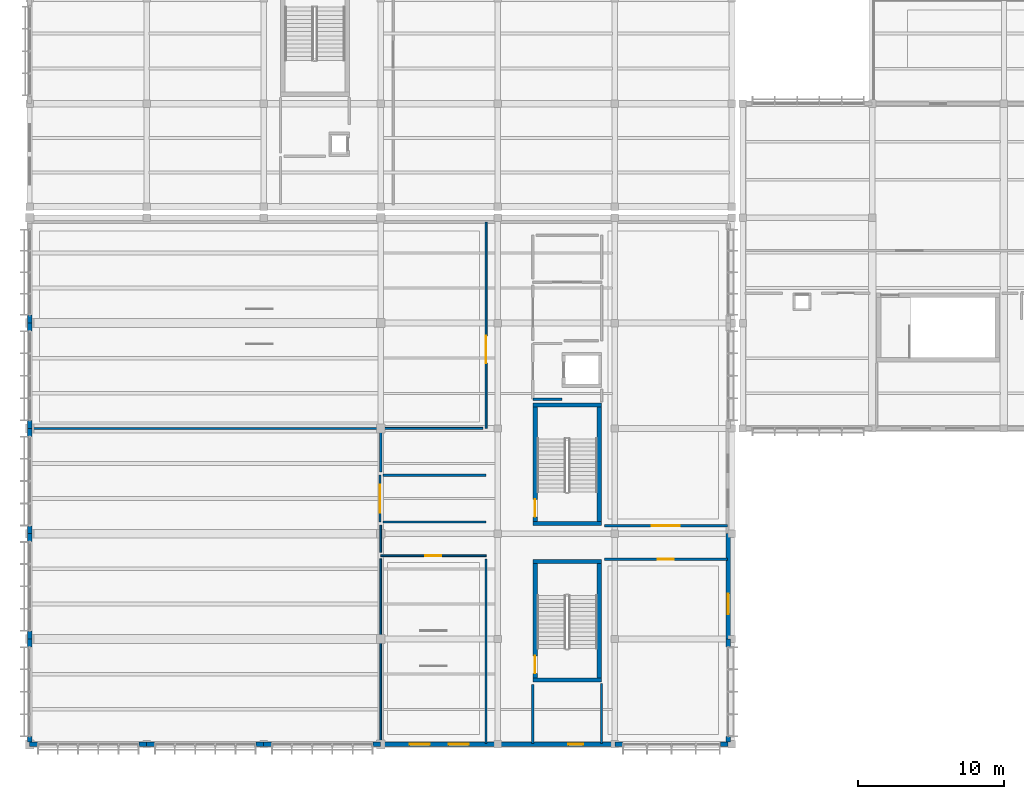
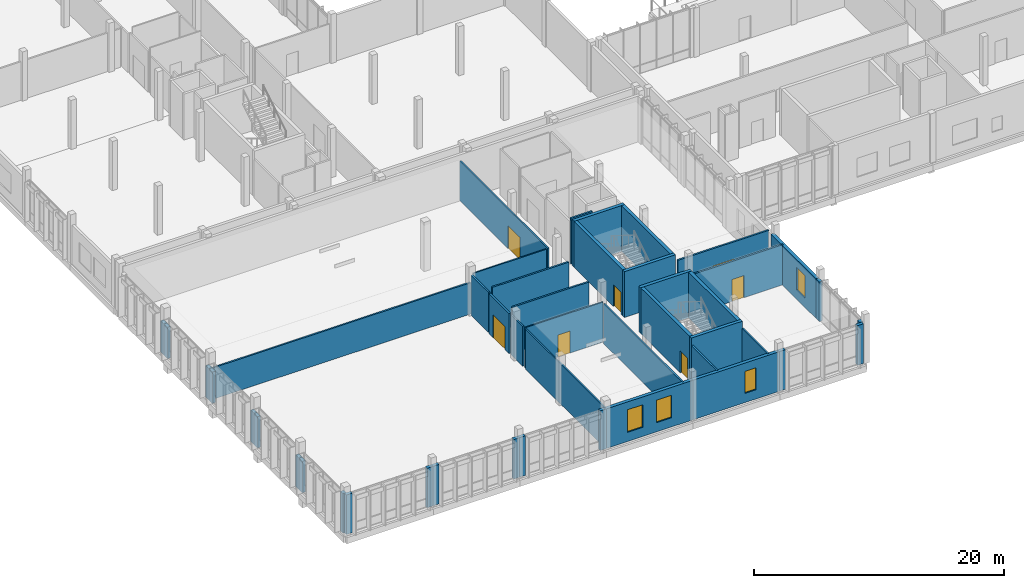
# One storey, part 146 of 177: 46 walls, 7 doors, 4 windows, 11 openings.
"""IFC4 building model written with IfcOpenShell, lengths in metres."""

from ifc_helpers import new_model, si_unit, direction, frame, frame_2d, origin, place, context, subcontext, project, spatial, rectangle, extrude, material, layer, layer_set, type_object, element, fill, save


model = new_model("IFC4")

# Units and contexts
model_context = context("Model", 3, precision=1e-05, world=origin(), true_north=direction((0.0, 1.0)))
body_context = subcontext(model_context, "Body", "Model", "MODEL_VIEW")
ifc_project = project(units=[si_unit("LENGTHUNIT", "METRE"), si_unit("AREAUNIT", "SQUARE_METRE"), si_unit("VOLUMEUNIT", "CUBIC_METRE"), si_unit("PLANEANGLEUNIT", "RADIAN"), si_unit("MASSUNIT", "GRAM", prefix="KILO")], contexts=[model_context])

# Site, building, storey
site_placement = place(None, origin())
site = spatial("IfcSite", under=ifc_project, at=site_placement, CompositionType="ELEMENT")
building_placement = place(site_placement, origin())
building = spatial("IfcBuilding", under=site, at=building_placement, Name="Chiffa Square Polytechnic", CompositionType="ELEMENT")
storey_placement = place(building_placement, frame((0.0, 0.0, 4.800048828125)))
storey = spatial("IfcBuildingStorey", under=building, at=storey_placement, Name="L01", CompositionType="ELEMENT", Elevation=4.800048828125)

# Walls
ifc_material_1 = material(Name="Concrete C40/50", Category="concrete")
ifc_layer_1 = layer(ifc_material_1, 0.300048828125, Name="Concrete C40/50")
ifc_layer_set_1 = layer_set([ifc_layer_1], Name="Concrete C40/50")
wall_type_1 = type_object("IfcWallType", Name="WL-CORE-300", PredefinedType="SHEAR", material=ifc_layer_set_1)
for number, where, z_axis, x_axis, name in (
    (1, (34.39990234375, 4.39990234375, 0.0), (0.0, 0.0, 1.0), (1.0, 0.0, 0.0), "Core or enclosure wall WC-CORE-V3A-L01-SOUTH"),
    (2, (34.39990234375, 12.5, 0.0), (0.0, 0.0, 1.0), (1.0, 0.0, 0.0), "Core or enclosure wall WC-CORE-V3A-L01-NORTH"),
):
    element("IfcWall", number, at=place(storey_placement, frame(where, z_axis=z_axis, x_axis=x_axis)), inside=storey, type_object=wall_type_1, Name=name, PredefinedType="SHEAR", context=body_context, shape_type="SweptSolid", body=[
        extrude(rectangle(XDim=4.7001953125, YDim=0.300048828125, at=frame_2d((2.35009765625, 0.0))), origin(), (0.0, 0.0, 1.0), 4.47998046875),
    ])

# Wall, opening, door
wall_1_placement = place(storey_placement, frame((34.550048828125, 4.550048828125, 0.0), z_axis=(0.0, 0.0, 1.0), x_axis=(0.0, 1.0, 0.0)))
wall_1 = element("IfcWall", 3, at=wall_1_placement, inside=storey, type_object=wall_type_1, Name="Core or enclosure wall WC-CORE-V3A-L01-WEST", PredefinedType="SHEAR", context=body_context, shape_type="SweptSolid", body=[
    extrude(rectangle(XDim=7.800048828125, YDim=0.300048828125, at=frame_2d((3.89990234375, 0.0))), origin(), (0.0, 0.0, 1.0), 4.47998046875),
])
opening_1_placement = place(wall_1_placement, frame((0.300048828125, 0.0, 0.0)))
opening_1 = element("IfcOpeningElement", 4, at=opening_1_placement, cuts=wall_1, Name="Opening DS-L01-022", PredefinedType="OPENING", context=body_context, shape_type="SweptSolid", body=[
    extrude(rectangle(XDim=1.199951171875, YDim=2.14990234375, at=frame_2d((0.60009765625, 1.074951171875))), frame((0.0, 0.16015625, 0.0), z_axis=(0.0, -1.0, 0.0), x_axis=(1.0, 0.0, 0.0)), (0.0, 0.0, 1.0), 0.320068359375),
])
ifc_material_2 = material(Name="Fire-rated painted steel leaf", Category="steel")
door_type_1 = type_object("IfcDoorType", Name="DR-STAIR-1200", OperationType="NOTDEFINED", PredefinedType="DOOR", material=ifc_material_2)
door_1_placement = place(opening_1_placement, origin())
door_1 = element("IfcDoor", 5, at=door_1_placement, inside=storey, type_object=door_type_1, Name="Enclosure door DS-L01-022", OperationType="SINGLE_SWING_RIGHT", OverallHeight=2.14990234375, OverallWidth=1.199951171875, PredefinedType="DOOR", context=body_context, shape_type="SweptSolid", body=[
    extrude(rectangle(XDim=1.199951171875, YDim=2.14990234375, at=frame_2d((0.60009765625, 1.074951171875))), frame((0.0, 0.02490234375, 0.0), z_axis=(0.0, -1.0, 0.0), x_axis=(1.0, 0.0, 0.0)), (0.0, 0.0, 1.0), 0.050048828125),
])
fill(opening_1, door_1)

# Walls
wall_2_placement = place(storey_placement, frame((38.949951171875, 4.550048828125, 0.0), z_axis=(0.0, 0.0, 1.0), x_axis=(0.0, 1.0, 0.0)))
element("IfcWall", 6, at=wall_2_placement, inside=storey, type_object=wall_type_1, Name="Core or enclosure wall WC-CORE-V3A-L01-EAST", PredefinedType="SHEAR", context=body_context, shape_type="SweptSolid", body=[
    extrude(rectangle(XDim=7.800048828125, YDim=0.300048828125, at=frame_2d((3.89990234375, 0.0))), origin(), (0.0, 0.0, 1.0), 4.47998046875),
])
for number, where, z_axis, x_axis, name in (
    (7, (34.39990234375, 15.10009765625, 0.0), (0.0, 0.0, 1.0), (1.0, 0.0, 0.0), "Core or enclosure wall WC-CORE-V3B-L01-SOUTH"),
    (8, (34.39990234375, 23.199951171875, 0.0), (0.0, 0.0, 1.0), (1.0, 0.0, 0.0), "Core or enclosure wall WC-CORE-V3B-L01-NORTH"),
):
    element("IfcWall", number, at=place(storey_placement, frame(where, z_axis=z_axis, x_axis=x_axis)), inside=storey, type_object=wall_type_1, Name=name, PredefinedType="SHEAR", context=body_context, shape_type="SweptSolid", body=[
        extrude(rectangle(XDim=4.7001953125, YDim=0.300048828125, at=frame_2d((2.35009765625, 0.0))), origin(), (0.0, 0.0, 1.0), 4.47998046875),
    ])

# Wall, opening, door
wall_3_placement = place(storey_placement, frame((34.550048828125, 15.25, 0.0), z_axis=(0.0, 0.0, 1.0), x_axis=(0.0, 1.0, 0.0)))
wall_3 = element("IfcWall", 9, at=wall_3_placement, inside=storey, type_object=wall_type_1, Name="Core or enclosure wall WC-CORE-V3B-L01-WEST", PredefinedType="SHEAR", context=body_context, shape_type="SweptSolid", body=[
    extrude(rectangle(XDim=7.800048828125, YDim=0.300048828125, at=frame_2d((3.89990234375, 0.0))), origin(), (0.0, 0.0, 1.0), 4.47998046875),
])
opening_2_placement = place(wall_3_placement, frame((0.300048828125, 0.0, 0.0)))
opening_2 = element("IfcOpeningElement", 10, at=opening_2_placement, cuts=wall_3, Name="Opening DS-L01-025", PredefinedType="OPENING", context=body_context, shape_type="SweptSolid", body=[
    extrude(rectangle(XDim=1.199951171875, YDim=2.14990234375, at=frame_2d((0.60009765625, 1.074951171875))), frame((0.0, 0.16015625, 0.0), z_axis=(0.0, -1.0, 0.0), x_axis=(1.0, 0.0, 0.0)), (0.0, 0.0, 1.0), 0.320068359375),
])
door_2_placement = place(opening_2_placement, origin())
door_2 = element("IfcDoor", 11, at=door_2_placement, inside=storey, type_object=door_type_1, Name="Enclosure door DS-L01-025", OperationType="SINGLE_SWING_LEFT", OverallHeight=2.14990234375, OverallWidth=1.199951171875, PredefinedType="DOOR", context=body_context, shape_type="SweptSolid", body=[
    extrude(rectangle(XDim=1.199951171875, YDim=2.14990234375, at=frame_2d((0.60009765625, 1.074951171875))), frame((0.0, 0.02490234375, 0.0), z_axis=(0.0, -1.0, 0.0), x_axis=(1.0, 0.0, 0.0)), (0.0, 0.0, 1.0), 0.050048828125),
])
fill(opening_2, door_2)

# Walls
wall_4_placement = place(storey_placement, frame((38.949951171875, 15.25, 0.0), z_axis=(0.0, 0.0, 1.0), x_axis=(0.0, 1.0, 0.0)))
element("IfcWall", 12, at=wall_4_placement, inside=storey, type_object=wall_type_1, Name="Core or enclosure wall WC-CORE-V3B-L01-EAST", PredefinedType="SHEAR", context=body_context, shape_type="SweptSolid", body=[
    extrude(rectangle(XDim=7.800048828125, YDim=0.300048828125, at=frame_2d((3.89990234375, 0.0))), origin(), (0.0, 0.0, 1.0), 4.47998046875),
])
ifc_material_3 = material(Name="Precast concrete C40/50", Category="concrete")
ifc_layer_2 = layer(ifc_material_3, 0.300048828125, Name="Precast concrete C40/50")
ifc_layer_set_2 = layer_set([ifc_layer_2], Name="Precast concrete C40/50")
wall_type_2 = type_object("IfcWallType", Name="WL-EXT-PC300", PredefinedType="SOLIDWALL", material=ifc_layer_set_2)
for number, where, z_axis, x_axis, name in (
    (13, (0.0, 0.0, 0.0), (0.0, 0.0, 1.0), (1.0, 0.0, 0.0), "Facade column pier V3-L01-0148L"),
    (14, (7.4599609375, 0.0, 0.0), (0.0, 0.0, 1.0), (1.0, 0.0, 0.0), "Facade column pier V3-L01-0148R"),
    (15, (8.0, 0.0, 0.0), (0.0, 0.0, 1.0), (1.0, 0.0, 0.0), "Facade column pier V3-L01-0149L"),
    (16, (15.4599609375, 0.0, 0.0), (0.0, 0.0, 1.0), (1.0, 0.0, 0.0), "Facade column pier V3-L01-0149R"),
    (17, (16.0, 0.0, 0.0), (0.0, 0.0, 1.0), (1.0, 0.0, 0.0), "Facade column pier V3-L01-0150L"),
    (18, (23.4599609375, 0.0, 0.0), (0.0, 0.0, 1.0), (1.0, 0.0, 0.0), "Facade column pier V3-L01-0150R"),
):
    element("IfcWall", number, at=place(storey_placement, frame(where, z_axis=z_axis, x_axis=x_axis)), inside=storey, type_object=wall_type_2, Name=name, PredefinedType="SOLIDWALL", context=body_context, shape_type="SweptSolid", body=[
        extrude(rectangle(XDim=0.5400390625, YDim=0.300048828125, at=frame_2d((0.27001953125, 0.0))), origin(), (0.0, 0.0, 1.0), 3.864990234375),
    ])

# Wall, openings, windows
wall_5_placement = place(storey_placement, frame((24.0, 0.0, 0.0), z_axis=(0.0, 0.0, 1.0), x_axis=(1.0, 0.0, 0.0)))
wall_5 = element("IfcWall", 19, at=wall_5_placement, inside=storey, type_object=wall_type_2, Name="Exterior wall WE-V3-L01-0151", PredefinedType="SOLIDWALL", context=body_context, shape_type="SweptSolid", body=[
    extrude(rectangle(XDim=8.0, YDim=0.300048828125, at=frame_2d((4.0, 0.0))), origin(), (0.0, 0.0, 1.0), 3.864990234375),
])
opening_3_placement = place(wall_5_placement, frame((1.967041015625, 0.0, 0.89990234375)))
opening_3 = element("IfcOpeningElement", 20, at=opening_3_placement, cuts=wall_5, Name="Opening W-23", PredefinedType="OPENING", context=body_context, shape_type="SweptSolid", body=[
    extrude(rectangle(XDim=1.39990234375, YDim=2.199951171875, at=frame_2d((0.699951171875, 1.10009765625))), frame((0.0, 0.16015625, 0.0), z_axis=(0.0, -1.0, 0.0), x_axis=(1.0, 0.0, 0.0)), (0.0, 0.0, 1.0), 0.320068359375),
])
opening_4_placement = place(wall_5_placement, frame((4.633056640625, 0.0, 0.89990234375)))
opening_4 = element("IfcOpeningElement", 21, at=opening_4_placement, cuts=wall_5, Name="Opening W-23", PredefinedType="OPENING", context=body_context, shape_type="SweptSolid", body=[
    extrude(rectangle(XDim=1.39990234375, YDim=2.199951171875, at=frame_2d((0.699951171875, 1.10009765625))), frame((0.0, 0.16015625, 0.0), z_axis=(0.0, -1.0, 0.0), x_axis=(1.0, 0.0, 0.0)), (0.0, 0.0, 1.0), 0.320068359375),
])
ifc_material_4 = material(Name="Double glazing in thermally broken aluminium frame", Category="aluminium")
window_type_1 = type_object("IfcWindowType", Name="WIN-LEC-1400X2200", PartitioningType="DOUBLE_PANEL_VERTICAL", PredefinedType="WINDOW", material=ifc_material_4)
window_1_placement = place(opening_3_placement, origin())
window_1 = element("IfcWindow", 22, at=window_1_placement, inside=storey, type_object=window_type_1, Name="Facade window WN-L01-0123", OverallHeight=2.199951171875, OverallWidth=1.39990234375, PartitioningType="DOUBLE_PANEL_VERTICAL", PredefinedType="WINDOW", context=body_context, shape_type="SweptSolid", body=[
    extrude(rectangle(XDim=1.39990234375, YDim=2.199951171875, at=frame_2d((0.699951171875, 1.10009765625))), frame((0.0, 0.030029296875, 0.0), z_axis=(0.0, -1.0, 0.0), x_axis=(1.0, 0.0, 0.0)), (0.0, 0.0, 1.0), 0.06005859375),
])
fill(opening_3, window_1)
window_2_placement = place(opening_4_placement, origin())
window_2 = element("IfcWindow", 23, at=window_2_placement, inside=storey, type_object=window_type_1, Name="Facade window WN-L01-0124", OverallHeight=2.199951171875, OverallWidth=1.39990234375, PartitioningType="DOUBLE_PANEL_VERTICAL", PredefinedType="WINDOW", context=body_context, shape_type="SweptSolid", body=[
    extrude(rectangle(XDim=1.39990234375, YDim=2.199951171875, at=frame_2d((0.699951171875, 1.10009765625))), frame((0.0, 0.030029296875, 0.0), z_axis=(0.0, -1.0, 0.0), x_axis=(1.0, 0.0, 0.0)), (0.0, 0.0, 1.0), 0.06005859375),
])
fill(opening_4, window_2)

# Wall, opening, window
wall_6_placement = place(storey_placement, frame((32.0, 0.0, 0.0), z_axis=(0.0, 0.0, 1.0), x_axis=(1.0, 0.0, 0.0)))
wall_6 = element("IfcWall", 24, at=wall_6_placement, inside=storey, type_object=wall_type_2, Name="Exterior wall WE-V3-L01-0152", PredefinedType="SOLIDWALL", context=body_context, shape_type="SweptSolid", body=[
    extrude(rectangle(XDim=8.0, YDim=0.300048828125, at=frame_2d((4.0, 0.0))), origin(), (0.0, 0.0, 1.0), 3.864990234375),
])
opening_5_placement = place(wall_6_placement, frame((4.8330078125, 0.0, 0.89990234375)))
opening_5 = element("IfcOpeningElement", 25, at=opening_5_placement, cuts=wall_6, Name="Opening W-25", PredefinedType="OPENING", context=body_context, shape_type="SweptSolid", body=[
    extrude(rectangle(XDim=1.0, YDim=2.14990234375, at=frame_2d((0.5, 1.074951171875))), frame((0.0, 0.16015625, 0.0), z_axis=(0.0, -1.0, 0.0), x_axis=(1.0, 0.0, 0.0)), (0.0, 0.0, 1.0), 0.320068359375),
])
window_type_2 = type_object("IfcWindowType", Name="WIN-LEC-1000X2150", PartitioningType="DOUBLE_PANEL_VERTICAL", PredefinedType="WINDOW", material=ifc_material_4)
window_3_placement = place(opening_5_placement, origin())
window_3 = element("IfcWindow", 26, at=window_3_placement, inside=storey, type_object=window_type_2, Name="Facade window WN-L01-0125", OverallHeight=2.14990234375, OverallWidth=1.0, PartitioningType="DOUBLE_PANEL_VERTICAL", PredefinedType="WINDOW", context=body_context, shape_type="SweptSolid", body=[
    extrude(rectangle(XDim=1.0, YDim=2.14990234375, at=frame_2d((0.5, 1.074951171875))), frame((0.0, 0.030029296875, 0.0), z_axis=(0.0, -1.0, 0.0), x_axis=(1.0, 0.0, 0.0)), (0.0, 0.0, 1.0), 0.06005859375),
])
fill(opening_5, window_3)

# Walls
for number, where, z_axis, x_axis, name in (
    (27, (40.0, 0.0, 0.0), (0.0, 0.0, 1.0), (1.0, 0.0, 0.0), "Facade column pier V3-L01-0153L"),
    (28, (47.2099609375, 0.0, 0.0), (0.0, 0.0, 1.0), (1.0, 0.0, 0.0), "Facade column pier V3-L01-0153R"),
):
    element("IfcWall", number, at=place(storey_placement, frame(where, z_axis=z_axis, x_axis=x_axis)), inside=storey, type_object=wall_type_2, Name=name, PredefinedType="SOLIDWALL", context=body_context, shape_type="SweptSolid", body=[
        extrude(rectangle(XDim=0.5400390625, YDim=0.300048828125, at=frame_2d((0.27001953125, 0.0))), origin(), (0.0, 0.0, 1.0), 3.864990234375),
    ])
wall_7_placement = place(storey_placement, frame((47.75, 0.152099609375, 0.0), z_axis=(0.0, 0.0, 1.0), x_axis=(0.0, 1.0, 0.0)))
element("IfcWall", 29, at=wall_7_placement, inside=storey, type_object=wall_type_2, Name="Facade column pier V3-L01-0154L", PredefinedType="SOLIDWALL", context=body_context, shape_type="SweptSolid", body=[
    extrude(rectangle(XDim=0.387939453125, YDim=0.300048828125, at=frame_2d((0.19384765625, 0.0))), origin(), (0.0, 0.0, 1.0), 3.864990234375),
])
wall_8_placement = place(storey_placement, frame((47.75, 6.659912109375, 0.0), z_axis=(0.0, 0.0, 1.0), x_axis=(0.0, 1.0, 0.0)))
element("IfcWall", 30, at=wall_8_placement, inside=storey, type_object=wall_type_2, Name="Facade column pier V3-L01-0154R", PredefinedType="SOLIDWALL", context=body_context, shape_type="SweptSolid", body=[
    extrude(rectangle(XDim=0.5400390625, YDim=0.300048828125, at=frame_2d((0.27001953125, 0.0))), origin(), (0.0, 0.0, 1.0), 3.864990234375),
])

# Wall, opening, window
wall_9_placement = place(storey_placement, frame((47.75, 7.199951171875, 0.0), z_axis=(0.0, 0.0, 1.0), x_axis=(0.0, 1.0, 0.0)))
wall_9 = element("IfcWall", 31, at=wall_9_placement, inside=storey, type_object=wall_type_2, Name="Exterior wall WE-V3-L01-0155", PredefinedType="SOLIDWALL", context=body_context, shape_type="SweptSolid", body=[
    extrude(rectangle(XDim=7.199951171875, YDim=0.300048828125, at=frame_2d((3.60009765625, 0.0))), origin(), (0.0, 0.0, 1.0), 3.864990234375),
])
opening_6_placement = place(wall_9_placement, frame((1.699951171875, 0.0, 0.89990234375)))
opening_6 = element("IfcOpeningElement", 32, at=opening_6_placement, cuts=wall_9, Name="Opening W-23", PredefinedType="OPENING", context=body_context, shape_type="SweptSolid", body=[
    extrude(rectangle(XDim=1.39990234375, YDim=2.199951171875, at=frame_2d((0.699951171875, 1.10009765625))), frame((0.0, 0.16015625, 0.0), z_axis=(0.0, -1.0, 0.0), x_axis=(1.0, 0.0, 0.0)), (0.0, 0.0, 1.0), 0.320068359375),
])
window_4_placement = place(opening_6_placement, origin())
window_4 = element("IfcWindow", 33, at=window_4_placement, inside=storey, type_object=window_type_1, Name="Facade window WN-L01-0126", OverallHeight=2.199951171875, OverallWidth=1.39990234375, PartitioningType="DOUBLE_PANEL_VERTICAL", PredefinedType="WINDOW", context=body_context, shape_type="SweptSolid", body=[
    extrude(rectangle(XDim=1.39990234375, YDim=2.199951171875, at=frame_2d((0.699951171875, 1.10009765625))), frame((0.0, 0.030029296875, 0.0), z_axis=(0.0, -1.0, 0.0), x_axis=(1.0, 0.0, 0.0)), (0.0, 0.0, 1.0), 0.06005859375),
])
fill(opening_6, window_4)

# Walls
for number, where, z_axis, x_axis, name in (
    (34, (0.0, 29.340087890625, 0.0), (0.0, 0.0, 1.0), (0.0, -1.0, 0.0), "Facade column pier V3-L01-0160R"),
    (35, (0.0, 28.800048828125, 0.0), (0.0, 0.0, 1.0), (0.0, -1.0, 0.0), "Facade column pier V3-L01-0161L"),
):
    element("IfcWall", number, at=place(storey_placement, frame(where, z_axis=z_axis, x_axis=x_axis)), inside=storey, type_object=wall_type_2, Name=name, PredefinedType="SOLIDWALL", context=body_context, shape_type="SweptSolid", body=[
        extrude(rectangle(XDim=0.5400390625, YDim=0.300048828125, at=frame_2d((0.27001953125, 0.0))), origin(), (0.0, 0.0, 1.0), 3.06494140625),
    ])
wall_10_placement = place(storey_placement, frame((0.0, 22.139892578125, 0.0), z_axis=(0.0, 0.0, 1.0), x_axis=(0.0, -1.0, 0.0)))
element("IfcWall", 36, at=wall_10_placement, inside=storey, type_object=wall_type_2, Name="Facade column pier V3-L01-0161R", PredefinedType="SOLIDWALL", context=body_context, shape_type="SweptSolid", body=[
    extrude(rectangle(XDim=0.539794921875, YDim=0.300048828125, at=frame_2d((0.27001953125, 0.0))), origin(), (0.0, 0.0, 1.0), 3.06494140625),
])
for number, where, z_axis, x_axis, name in (
    (37, (0.0, 21.60009765625, 0.0), (0.0, 0.0, 1.0), (0.0, -1.0, 0.0), "Facade column pier V3-L01-0162L"),
    (38, (0.0, 14.93994140625, 0.0), (0.0, 0.0, 1.0), (0.0, -1.0, 0.0), "Facade column pier V3-L01-0162R"),
):
    element("IfcWall", number, at=place(storey_placement, frame(where, z_axis=z_axis, x_axis=x_axis)), inside=storey, type_object=wall_type_2, Name=name, PredefinedType="SOLIDWALL", context=body_context, shape_type="SweptSolid", body=[
        extrude(rectangle(XDim=0.5400390625, YDim=0.300048828125, at=frame_2d((0.27001953125, 0.0))), origin(), (0.0, 0.0, 1.0), 3.06494140625),
    ])
wall_11_placement = place(storey_placement, frame((0.0, 14.39990234375, 0.0), z_axis=(0.0, 0.0, 1.0), x_axis=(0.0, -1.0, 0.0)))
element("IfcWall", 39, at=wall_11_placement, inside=storey, type_object=wall_type_2, Name="Facade column pier V3-L01-0163L", PredefinedType="SOLIDWALL", context=body_context, shape_type="SweptSolid", body=[
    extrude(rectangle(XDim=0.539794921875, YDim=0.300048828125, at=frame_2d((0.27001953125, 0.0))), origin(), (0.0, 0.0, 1.0), 3.06494140625),
])
for number, where, z_axis, x_axis, name in (
    (40, (0.0, 7.739990234375, 0.0), (0.0, 0.0, 1.0), (0.0, -1.0, 0.0), "Facade column pier V3-L01-0163R"),
    (41, (0.0, 7.199951171875, 0.0), (0.0, 0.0, 1.0), (0.0, -1.0, 0.0), "Facade column pier V3-L01-0164L"),
):
    element("IfcWall", number, at=place(storey_placement, frame(where, z_axis=z_axis, x_axis=x_axis)), inside=storey, type_object=wall_type_2, Name=name, PredefinedType="SOLIDWALL", context=body_context, shape_type="SweptSolid", body=[
        extrude(rectangle(XDim=0.5400390625, YDim=0.300048828125, at=frame_2d((0.27001953125, 0.0))), origin(), (0.0, 0.0, 1.0), 3.06494140625),
    ])
wall_12_placement = place(storey_placement, frame((0.0, 0.5400390625, 0.0), z_axis=(0.0, 0.0, 1.0), x_axis=(0.0, -1.0, 0.0)))
element("IfcWall", 42, at=wall_12_placement, inside=storey, type_object=wall_type_2, Name="Facade column pier V3-L01-0164R", PredefinedType="SOLIDWALL", context=body_context, shape_type="SweptSolid", body=[
    extrude(rectangle(XDim=0.387939453125, YDim=0.300048828125, at=frame_2d((0.19384765625, 0.0))), origin(), (0.0, 0.0, 1.0), 3.864990234375),
])

# Wall, opening, door
ifc_material_5 = material(Name="Gypsum board on steel stud", Category="steel")
ifc_layer_3 = layer(ifc_material_5, 0.125, Name="Gypsum board on steel stud")
ifc_layer_set_3 = layer_set([ifc_layer_3], Name="Gypsum board on steel stud")
wall_type_3 = type_object("IfcWallType", Name="WL-PART-125", PredefinedType="PARTITIONING", material=ifc_layer_set_3)
wall_13_placement = place(storey_placement, frame((24.0, 12.89990234375, 0.0), z_axis=(0.0, 0.0, 1.0), x_axis=(1.0, 0.0, 0.0)))
wall_13 = element("IfcWall", 43, at=wall_13_placement, inside=storey, type_object=wall_type_3, Name="Interior partition WP-V3-L01-0284", PredefinedType="PARTITIONING", context=body_context, shape_type="SweptSolid", body=[
    extrude(rectangle(XDim=7.199951171875, YDim=0.125, at=frame_2d((3.60009765625, 0.0))), origin(), (0.0, 0.0, 1.0), 3.9150390625),
])
opening_7_placement = place(wall_13_placement, frame((3.050048828125, 0.0, 0.0)))
opening_7 = element("IfcOpeningElement", 44, at=opening_7_placement, cuts=wall_13, Name="Opening DI-L01-132", PredefinedType="OPENING", context=body_context, shape_type="SweptSolid", body=[
    extrude(rectangle(XDim=1.10009765625, YDim=2.14990234375, at=frame_2d((0.550048828125, 1.074951171875))), frame((0.0, 0.072509765625, 0.0), z_axis=(0.0, -1.0, 0.0), x_axis=(1.0, 0.0, 0.0)), (0.0, 0.0, 1.0), 0.14501953125),
])
ifc_material_6 = material(Name="Solid core ash veneer door")
door_type_2 = type_object("IfcDoorType", Name="DR-INT-1100", OperationType="NOTDEFINED", PredefinedType="DOOR", material=ifc_material_6)
door_3_placement = place(opening_7_placement, origin())
door_3 = element("IfcDoor", 45, at=door_3_placement, inside=storey, type_object=door_type_2, Name="Interior room door DI-L01-132", OperationType="SINGLE_SWING_LEFT", OverallHeight=2.14990234375, OverallWidth=1.10009765625, PredefinedType="DOOR", context=body_context, shape_type="SweptSolid", body=[
    extrude(rectangle(XDim=1.10009765625, YDim=2.14990234375, at=frame_2d((0.550048828125, 1.074951171875))), frame((0.0, 0.02490234375, 0.0), z_axis=(0.0, -1.0, 0.0), x_axis=(1.0, 0.0, 0.0)), (0.0, 0.0, 1.0), 0.050048828125),
])
fill(opening_7, door_3)

# Walls
wall_14_placement = place(storey_placement, frame((24.219970703125, 21.60009765625, 0.0), z_axis=(0.0, 0.0, 1.0), x_axis=(1.0, 0.0, 0.0)))
element("IfcWall", 46, at=wall_14_placement, inside=storey, type_object=wall_type_3, Name="Interior partition WP-V3-L01-0338", PredefinedType="PARTITIONING", context=body_context, shape_type="SweptSolid", body=[
    extrude(rectangle(XDim=6.760009765625, YDim=0.125, at=frame_2d((3.3798828125, 0.0))), origin(), (0.0, 0.0, 1.0), 3.864990234375),
])
ifc_layer_4 = layer(ifc_material_5, 0.135009765625, Name="Gypsum board on steel stud")
ifc_layer_set_4 = layer_set([ifc_layer_4], Name="Gypsum board on steel stud")
wall_type_4 = type_object("IfcWallType", Name="WL-PART-135", PredefinedType="PARTITIONING", material=ifc_layer_set_4)
wall_15_placement = place(storey_placement, frame((24.0, 0.054931640625, 0.0), z_axis=(0.0, 0.0, 1.0), x_axis=(0.0, 1.0, 0.0)))
element("IfcWall", 47, at=wall_15_placement, inside=storey, type_object=wall_type_4, Name="Interior partition WP-V3-L01-0286", PredefinedType="PARTITIONING", context=body_context, shape_type="SweptSolid", body=[
    extrude(rectangle(XDim=12.625, YDim=0.135009765625, at=frame_2d((6.3125, 0.0))), origin(), (0.0, 0.0, 1.0), 3.9150390625),
])

# Wall, opening, door
wall_16_placement = place(storey_placement, frame((31.199951171875, 21.60009765625, 0.0), z_axis=(0.0, 0.0, 1.0), x_axis=(0.0, 1.0, 0.0)))
wall_16 = element("IfcWall", 48, at=wall_16_placement, inside=storey, type_object=wall_type_4, Name="Interior partition WP-V3-L01-0337", PredefinedType="PARTITIONING", context=body_context, shape_type="SweptSolid", body=[
    extrude(rectangle(XDim=14.094970703125, YDim=0.135009765625, at=frame_2d((7.04736328125, 0.0))), origin(), (0.0, 0.0, 1.0), 3.864990234375),
])
opening_8_placement = place(wall_16_placement, frame((4.451904296875, 0.0, 0.0)))
opening_8 = element("IfcOpeningElement", 49, at=opening_8_placement, cuts=wall_16, Name="Opening DI-L01-149", PredefinedType="OPENING", context=body_context, shape_type="SweptSolid", body=[
    extrude(rectangle(XDim=1.89990234375, YDim=2.25, at=frame_2d((0.949951171875, 1.125))), frame((0.0, 0.07763671875, 0.0), z_axis=(0.0, -1.0, 0.0), x_axis=(1.0, 0.0, 0.0)), (0.0, 0.0, 1.0), 0.155029296875),
])
ifc_material_7 = material(Name="Acoustic oak auditorium double door")
door_type_3 = type_object("IfcDoorType", Name="DR-LEC-DBL-1900", OperationType="DOUBLE_DOOR_SINGLE_SWING", PredefinedType="DOOR", material=ifc_material_7)
door_4_placement = place(opening_8_placement, origin())
door_4 = element("IfcDoor", 50, at=door_4_placement, inside=storey, type_object=door_type_3, Name="Interior room door DI-L01-149", OperationType="DOUBLE_DOOR_SINGLE_SWING", OverallHeight=2.25, OverallWidth=1.89990234375, PredefinedType="DOOR", context=body_context, shape_type="SweptSolid", body=[
    extrude(rectangle(XDim=1.89990234375, YDim=2.25, at=frame_2d((0.949951171875, 1.125))), frame((0.0, 0.02490234375, 0.0), z_axis=(0.0, -1.0, 0.0), x_axis=(1.0, 0.0, 0.0)), (0.0, 0.0, 1.0), 0.050048828125),
])
fill(opening_8, door_4)

# Walls
wall_17_placement = place(storey_placement, frame((24.0, 13.1201171875, 0.0), z_axis=(0.0, 0.0, 1.0), x_axis=(0.0, 1.0, 0.0)))
element("IfcWall", 51, at=wall_17_placement, inside=storey, type_object=wall_type_4, Name="Interior partition WP-V3-L01-0352", PredefinedType="PARTITIONING", context=body_context, shape_type="SweptSolid", body=[
    extrude(rectangle(XDim=1.865966796875, YDim=0.135009765625, at=frame_2d((0.93310546875, 0.0))), origin(), (0.0, 0.0, 1.0), 3.9150390625),
])
ifc_layer_5 = layer(ifc_material_5, 0.14501953125, Name="Gypsum board on steel stud")
ifc_layer_set_5 = layer_set([ifc_layer_5], Name="Gypsum board on steel stud")
wall_type_5 = type_object("IfcWallType", Name="WL-PART-145", PredefinedType="PARTITIONING", material=ifc_layer_set_5)
wall_18_placement = place(storey_placement, frame((31.199951171875, 0.054931640625, 0.0), z_axis=(0.0, 0.0, 1.0), x_axis=(0.0, 1.0, 0.0)))
element("IfcWall", 52, at=wall_18_placement, inside=storey, type_object=wall_type_5, Name="Interior partition WP-V3-L01-0285", PredefinedType="PARTITIONING", context=body_context, shape_type="SweptSolid", body=[
    extrude(rectangle(XDim=12.625, YDim=0.14501953125, at=frame_2d((6.3125, 0.0))), origin(), (0.0, 0.0, 1.0), 3.864990234375),
])
wall_19_placement = place(storey_placement, frame((39.10009765625, 0.054931640625, 0.0), z_axis=(0.0, 0.0, 1.0), x_axis=(0.0, 1.0, 0.0)))
element("IfcWall", 53, at=wall_19_placement, inside=storey, type_object=wall_type_5, Name="Interior partition WP-V3-L01-0288", PredefinedType="PARTITIONING", context=body_context, shape_type="SweptSolid", body=[
    extrude(rectangle(XDim=4.10498046875, YDim=0.14501953125, at=frame_2d((2.052490234375, 0.0))), origin(), (0.0, 0.0, 1.0), 3.864990234375),
])
wall_20_placement = place(storey_placement, frame((0.054931640625, 21.60009765625, 0.0), z_axis=(0.0, 0.0, 1.0), x_axis=(1.0, 0.0, 0.0)))
element("IfcWall", 54, at=wall_20_placement, inside=storey, type_object=wall_type_5, Name="Interior partition WP-V3-L01-0336", PredefinedType="PARTITIONING", context=body_context, shape_type="SweptSolid", body=[
    extrude(rectangle(XDim=23.945068359375, YDim=0.14501953125, at=frame_2d((11.97265625, 0.0))), origin(), (0.0, 0.0, 1.0), 3.06494140625),
])
wall_21_placement = place(storey_placement, frame((24.0, 18.614013671875, 0.0), z_axis=(0.0, 0.0, 1.0), x_axis=(0.0, 1.0, 0.0)))
element("IfcWall", 55, at=wall_21_placement, inside=storey, type_object=wall_type_5, Name="Interior partition WP-V3-L01-0351", PredefinedType="PARTITIONING", context=body_context, shape_type="SweptSolid", body=[
    extrude(rectangle(XDim=2.765869140625, YDim=0.14501953125, at=frame_2d((1.3828125, 0.0))), origin(), (0.0, 0.0, 1.0), 3.9150390625),
])
ifc_material_8 = material(Name="Gypsum board on acoustic steel stud", Category="steel")
ifc_layer_6 = layer(ifc_material_8, 0.159912109375, Name="Gypsum board on acoustic steel stud")
ifc_layer_set_6 = layer_set([ifc_layer_6], Name="Gypsum board on acoustic steel stud")
wall_type_6 = type_object("IfcWallType", Name="WL-PART-EI60-160", PredefinedType="PARTITIONING", material=ifc_layer_set_6)
wall_22_placement = place(storey_placement, frame((34.39990234375, 23.60009765625, 0.0), z_axis=(0.0, 0.0, 1.0), x_axis=(1.0, 0.0, 0.0)))
element("IfcWall", 56, at=wall_22_placement, inside=storey, type_object=wall_type_6, Name="Lift lobby rated enclosure WP-LOB-LP-V3-L01-SOUTH", PredefinedType="PARTITIONING", context=body_context, shape_type="SweptSolid", body=[
    extrude(rectangle(XDim=2.0, YDim=0.159912109375, at=frame_2d((1.0, 0.0))), origin(), (0.0, 0.0, 1.0), 4.47998046875),
])

# Wall, opening, door
wall_23_placement = place(storey_placement, frame((39.287109375, 12.64990234375, 0.0), z_axis=(0.0, 0.0, 1.0), x_axis=(1.0, 0.0, 0.0)))
wall_23 = element("IfcWall", 57, at=wall_23_placement, inside=storey, type_object=wall_type_6, Name="Interior partition WP-V3-L01-0287", PredefinedType="PARTITIONING", context=body_context, shape_type="SweptSolid", body=[
    extrude(rectangle(XDim=8.407958984375, YDim=0.159912109375, at=frame_2d((4.2041015625, 0.0))), origin(), (0.0, 0.0, 1.0), 3.9150390625),
])
opening_9_placement = place(wall_23_placement, frame((3.654052734375, 0.0, 0.0)))
opening_9 = element("IfcOpeningElement", 58, at=opening_9_placement, cuts=wall_23, Name="Opening DI-L01-133", PredefinedType="OPENING", context=body_context, shape_type="SweptSolid", body=[
    extrude(rectangle(XDim=1.10009765625, YDim=2.14990234375, at=frame_2d((0.550048828125, 1.074951171875))), frame((0.0, 0.08984375, 0.0), z_axis=(0.0, -1.0, 0.0), x_axis=(1.0, 0.0, 0.0)), (0.0, 0.0, 1.0), 0.179931640625),
])
door_5_placement = place(opening_9_placement, origin())
door_5 = element("IfcDoor", 59, at=door_5_placement, inside=storey, type_object=door_type_2, Name="Interior room door DI-L01-133", OperationType="SINGLE_SWING_RIGHT", OverallHeight=2.14990234375, OverallWidth=1.10009765625, PredefinedType="DOOR", context=body_context, shape_type="SweptSolid", body=[
    extrude(rectangle(XDim=1.10009765625, YDim=2.14990234375, at=frame_2d((0.550048828125, 1.074951171875))), frame((0.0, 0.02490234375, 0.0), z_axis=(0.0, -1.0, 0.0), x_axis=(1.0, 0.0, 0.0)), (0.0, 0.0, 1.0), 0.050048828125),
])
fill(opening_9, door_5)

wall_24_placement = place(storey_placement, frame((23.949951171875, 15.199951171875, 0.0), z_axis=(0.0, 0.0, 1.0), x_axis=(0.0, 1.0, 0.0)))
wall_24 = element("IfcWall", 60, at=wall_24_placement, inside=storey, type_object=wall_type_6, Name="Interior partition WP-V3-L01-0308", PredefinedType="PARTITIONING", context=body_context, shape_type="SweptSolid", body=[
    extrude(rectangle(XDim=3.199951171875, YDim=0.159912109375, at=frame_2d((1.60009765625, 0.0))), origin(), (0.0, 0.0, 1.0), 3.9150390625),
])
opening_10_placement = place(wall_24_placement, frame((0.64990234375, 0.0, 0.0)))
opening_10 = element("IfcOpeningElement", 61, at=opening_10_placement, cuts=wall_24, Name="Opening DI-L01-139", PredefinedType="OPENING", context=body_context, shape_type="SweptSolid", body=[
    extrude(rectangle(XDim=1.89990234375, YDim=2.25, at=frame_2d((0.949951171875, 1.125))), frame((0.0, 0.08984375, 0.0), z_axis=(0.0, -1.0, 0.0), x_axis=(1.0, 0.0, 0.0)), (0.0, 0.0, 1.0), 0.179931640625),
])
door_6_placement = place(opening_10_placement, origin())
door_6 = element("IfcDoor", 62, at=door_6_placement, inside=storey, type_object=door_type_3, Name="Interior room door DI-L01-139", OperationType="DOUBLE_DOOR_SINGLE_SWING", OverallHeight=2.25, OverallWidth=1.89990234375, PredefinedType="DOOR", context=body_context, shape_type="SweptSolid", body=[
    extrude(rectangle(XDim=1.89990234375, YDim=2.25, at=frame_2d((0.949951171875, 1.125))), frame((0.0, 0.02490234375, 0.0), z_axis=(0.0, -1.0, 0.0), x_axis=(1.0, 0.0, 0.0)), (0.0, 0.0, 1.0), 0.050048828125),
])
fill(opening_10, door_6)

wall_25_placement = place(storey_placement, frame((39.287109375, 14.949951171875, 0.0), z_axis=(0.0, 0.0, 1.0), x_axis=(1.0, 0.0, 0.0)))
wall_25 = element("IfcWall", 63, at=wall_25_placement, inside=storey, type_object=wall_type_6, Name="Interior partition WP-V3-L01-0309", PredefinedType="PARTITIONING", context=body_context, shape_type="SweptSolid", body=[
    extrude(rectangle(XDim=8.407958984375, YDim=0.159912109375, at=frame_2d((4.2041015625, 0.0))), origin(), (0.0, 0.0, 1.0), 3.9150390625),
])
opening_11_placement = place(wall_25_placement, frame((3.25390625, 0.0, 0.0)))
opening_11 = element("IfcOpeningElement", 64, at=opening_11_placement, cuts=wall_25, Name="Opening DI-L01-140", PredefinedType="OPENING", context=body_context, shape_type="SweptSolid", body=[
    extrude(rectangle(XDim=1.89990234375, YDim=2.25, at=frame_2d((0.949951171875, 1.125))), frame((0.0, 0.08984375, 0.0), z_axis=(0.0, -1.0, 0.0), x_axis=(1.0, 0.0, 0.0)), (0.0, 0.0, 1.0), 0.179931640625),
])
door_7_placement = place(opening_11_placement, origin())
door_7 = element("IfcDoor", 65, at=door_7_placement, inside=storey, type_object=door_type_3, Name="Interior room door DI-L01-140", OperationType="DOUBLE_DOOR_SINGLE_SWING", OverallHeight=2.25, OverallWidth=1.89990234375, PredefinedType="DOOR", context=body_context, shape_type="SweptSolid", body=[
    extrude(rectangle(XDim=1.89990234375, YDim=2.25, at=frame_2d((0.949951171875, 1.125))), frame((0.0, 0.02490234375, 0.0), z_axis=(0.0, -1.0, 0.0), x_axis=(1.0, 0.0, 0.0)), (0.0, 0.0, 1.0), 0.050048828125),
])
fill(opening_11, door_7)

# Walls
wall_26_placement = place(storey_placement, frame((34.39990234375, 0.054931640625, 0.0), z_axis=(0.0, 0.0, 1.0), x_axis=(0.0, 1.0, 0.0)))
element("IfcWall", 66, at=wall_26_placement, inside=storey, type_object=wall_type_6, Name="Interior partition WP-V3-L01-0370", PredefinedType="PARTITIONING", context=body_context, shape_type="SweptSolid", body=[
    extrude(rectangle(XDim=4.053955078125, YDim=0.159912109375, at=frame_2d((2.02685546875, 0.0))), origin(), (0.0, 0.0, 1.0), 3.864990234375),
])
for number, where, z_axis, x_axis, name in (
    (67, (24.169921875, 15.199951171875, 0.0), (0.0, 0.0, 1.0), (1.0, 0.0, 0.0), "Interior partition WP-V3-L01-0371"),
    (68, (24.169921875, 18.39990234375, 0.0), (0.0, 0.0, 1.0), (1.0, 0.0, 0.0), "Interior partition WP-V3-L01-0372"),
):
    element("IfcWall", number, at=place(storey_placement, frame(where, z_axis=z_axis, x_axis=x_axis)), inside=storey, type_object=wall_type_6, Name=name, PredefinedType="PARTITIONING", context=body_context, shape_type="SweptSolid", body=[
        extrude(rectangle(XDim=7.030029296875, YDim=0.159912109375, at=frame_2d((3.51513671875, 0.0))), origin(), (0.0, 0.0, 1.0), 4.47998046875),
    ])

save(model, "model.ifc")
